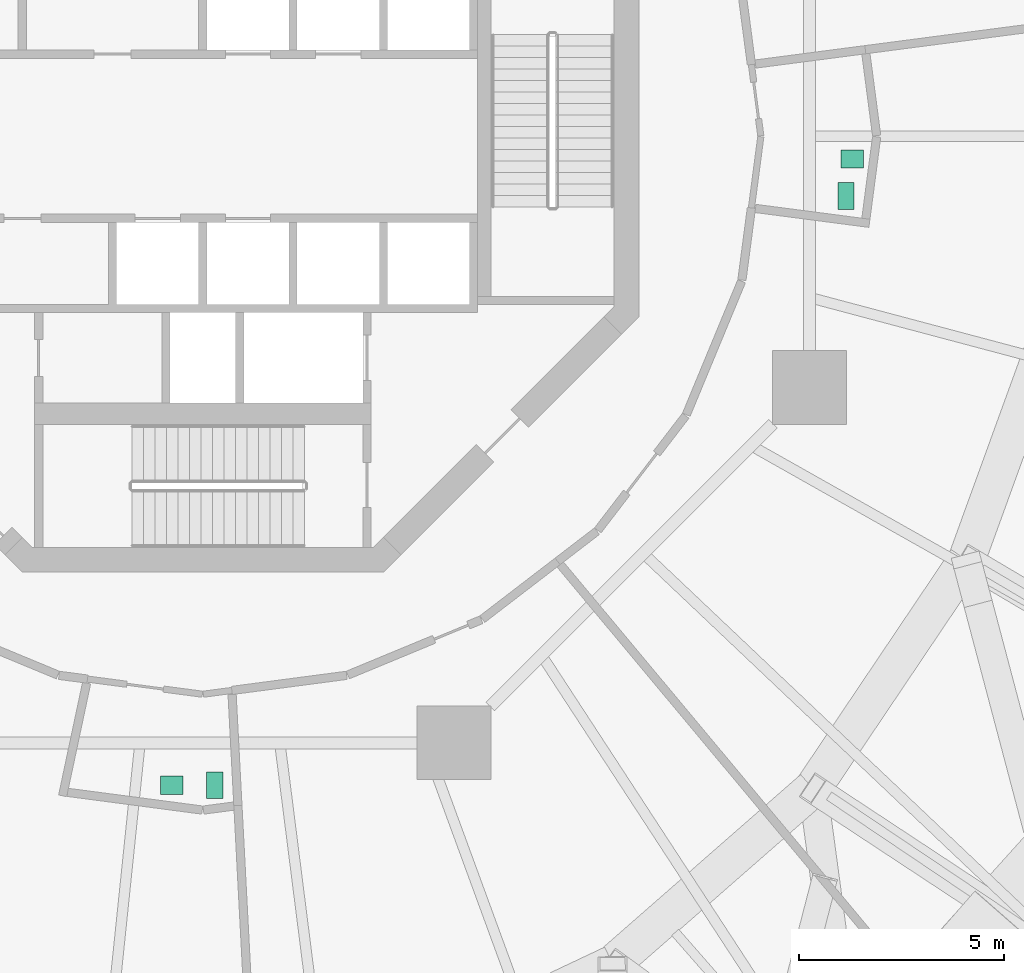
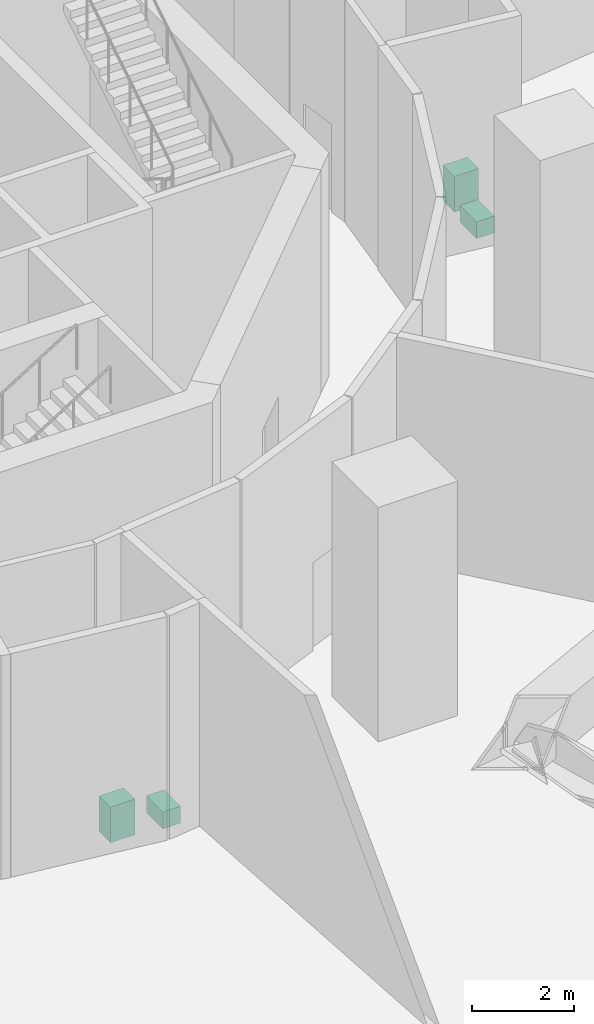
# One storey, part 60 of 60: 4 sanitary terminals.
"""IFC4 building model written with IfcOpenShell, lengths in metres."""

from ifc_helpers import new_model, si_unit, direction, frame, origin, origin_2d, place, context, subcontext, project, spatial, rectangle, extrude, material, type_object, element, save


model = new_model("IFC4")

# Units and contexts
model_context = context("Model", 3, precision=1e-05, world=origin(), true_north=direction((0.0, 1.0)))
body_context = subcontext(model_context, "Body", "Model", "MODEL_VIEW")
ifc_project = project(units=[si_unit("LENGTHUNIT", "METRE"), si_unit("AREAUNIT", "SQUARE_METRE"), si_unit("VOLUMEUNIT", "CUBIC_METRE"), si_unit("PLANEANGLEUNIT", "RADIAN"), si_unit("MASSUNIT", "GRAM", prefix="KILO")], contexts=[model_context])

# Site, building, storey
site_placement = place(None, origin())
site = spatial("IfcSite", under=ifc_project, at=site_placement, CompositionType="ELEMENT")
building_placement = place(site_placement, origin())
building = spatial("IfcBuilding", under=site, at=building_placement, Name="Nagisa Residences", CompositionType="ELEMENT")
storey_placement = place(building_placement, frame((0.0, 0.0, 206.60009765625)))
storey = spatial("IfcBuildingStorey", under=building, at=storey_placement, Name="L52", CompositionType="ELEMENT", Elevation=206.60009765625)

# Sanitary terminals
ifc_material_1 = material(Name="Vitreous china")
sanitary_terminal_type_1 = type_object("IfcSanitaryTerminalType", Name="WC pan", PredefinedType="WCSEAT", material=ifc_material_1)
for number, where, z_axis, x_axis, name in (
    (1, (0.294921875, -15.820068359375, 0.0), (0.0, 0.0, 1.0), (1.0, 0.0, 0.0), "fix:L52:r6t12p0:wc"),
    (2, (15.675048828125, -1.455078125, 0.0), (0.0, 0.0, 1.0), (1.0, 0.0, 0.0), "fix:L52:r8t17p0:wc"),
):
    element("IfcSanitaryTerminal", number, at=place(storey_placement, frame(where, z_axis=z_axis, x_axis=x_axis)), inside=storey, type_object=sanitary_terminal_type_1, Name=name, PredefinedType="WCSEAT", context=body_context, shape_type="SweptSolid", body=[
        extrude(rectangle(XDim=0.39990234375, YDim=0.64990234375, at=origin_2d()), origin(), (0.0, 0.0, 1.0), 0.39990234375),
    ])
ifc_material_2 = material(Name="Vitreous china")
sanitary_terminal_type_2 = type_object("IfcSanitaryTerminalType", Name="Wash basin", PredefinedType="WASHHANDBASIN", material=ifc_material_2)
for number, where, z_axis, x_axis, name in (
    (3, (-0.7548828125, -15.820068359375, -0.000244140625), (0.0, 0.0, 1.0), (1.0, 0.0, 0.0), "fix:L52:r6t12p0:basin"),
    (4, (15.824951171875, -0.554931640625, -0.000244140625), (0.0, 0.0, 1.0), (1.0, 0.0, 0.0), "fix:L52:r8t17p0:basin"),
):
    element("IfcSanitaryTerminal", number, at=place(storey_placement, frame(where, z_axis=z_axis, x_axis=x_axis)), inside=storey, type_object=sanitary_terminal_type_2, Name=name, PredefinedType="WASHHANDBASIN", context=body_context, shape_type="SweptSolid", body=[
        extrude(rectangle(XDim=0.550048828125, YDim=0.449951171875, at=origin_2d()), origin(), (0.0, 0.0, 1.0), 0.85009765625),
    ])

save(model, "model.ifc")
